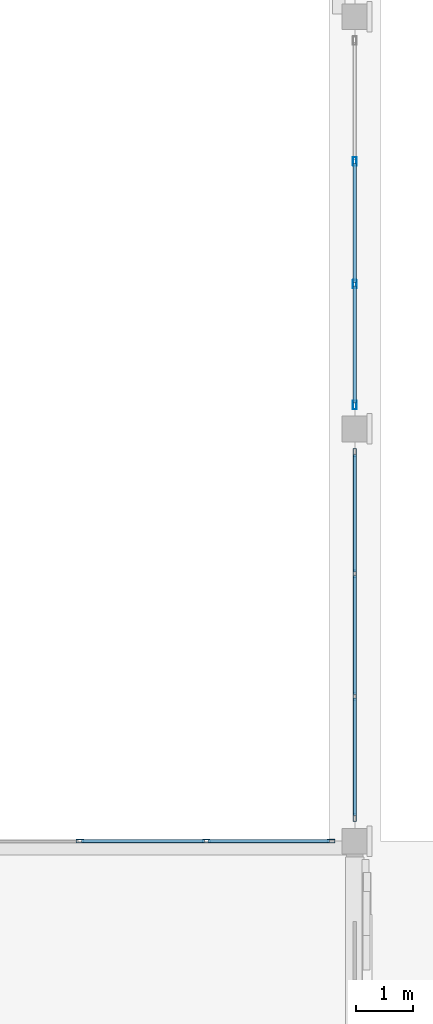
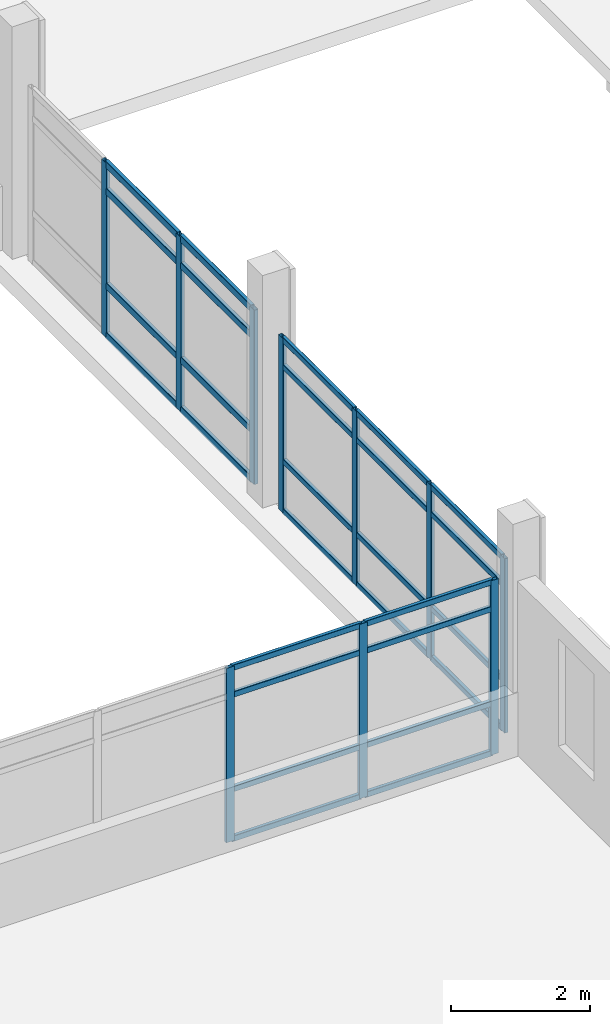
# One storey, part 23 of 50: 38 members, 3 elements without a shape of their own.
"""IFC4 building model written with IfcOpenShell, lengths in metres."""

import ifcopenshell
import ifcopenshell.guid

model = None  # the IFC model being written
_history = None  # IfcOwnerHistory: only IFC2X3 demands one
_inside = {}  # id of a spatial element -> (the spatial element, [elements in it])
_under = {}  # id of a project, library or spatial element -> (it, [spatial elements below it])
_declared = {}  # id of a project -> (the project, [libraries it declares])
_typed = {}  # id of a type object -> (the type object, [elements of that type])
_made_of = {}  # id of a material, layer set ... -> (it, [elements and type objects made of it])


def new_model(schema):
    """Start an empty IFC model of exactly this schema.

    Asked for "IFC4X3", IfcOpenShell would pick the latest addendum, in which some entities
    have other attributes; the version numbers below select the first issue.
    IFC2X3 requires an IfcOwnerHistory on every rooted entity: one is made here for all.
    """
    global model, _history
    if schema == "IFC4X3":
        model = ifcopenshell.file(schema_version=(4, 3, 0, 0))
    else:
        model = ifcopenshell.file(schema=schema)
    _inside.clear()
    _under.clear()
    _declared.clear()
    _typed.clear()
    _made_of.clear()
    _history = None
    if model.schema == "IFC2X3":
        org = make("IfcOrganization", Name="unknown")
        user = make(
            "IfcPersonAndOrganization",
            ThePerson=make("IfcPerson", FamilyName="unknown"),
            TheOrganization=org,
        )
        app = make(
            "IfcApplication",
            ApplicationDeveloper=org,
            Version="unknown",
            ApplicationFullName="unknown",
            ApplicationIdentifier="unknown",
        )
        _history = make(
            "IfcOwnerHistory",
            OwningUser=user,
            OwningApplication=app,
            ChangeAction="ADDED",
            CreationDate=0,
        )
    return model


def make(cls, **values):
    """One entity of the class cls with the attributes given. An attribute that is None is left unset."""
    return model.create_entity(
        cls, **{name: value for name, value in values.items() if value is not None}
    )


def rooted(cls, **values):
    """An entity with a GlobalId (a new one), such as an element, a storey or a relation."""
    return make(cls, GlobalId=ifcopenshell.guid.new(), OwnerHistory=_history, **values)


def si_unit(unit_type, name, prefix=None):
    """IfcSIUnit, for example si_unit("LENGTHUNIT", "METRE", prefix="MILLI")."""
    return make("IfcSIUnit", UnitType=unit_type, Prefix=prefix, Name=name)


def assignment(units):
    """IfcUnitAssignment: the units of a project."""
    return None if units is None else make("IfcUnitAssignment", Units=units)


def point(xyz):
    """IfcCartesianPoint."""
    return None if xyz is None else make("IfcCartesianPoint", Coordinates=xyz)


def direction(xyz):
    """IfcDirection."""
    return None if xyz is None else make("IfcDirection", DirectionRatios=xyz)


def frame(location, z_axis=None, x_axis=None):
    """IfcAxis2Placement3D, a coordinate frame: its origin and axes. An axis left out is left unset."""
    return make(
        "IfcAxis2Placement3D",
        Location=point(location),
        Axis=direction(z_axis),
        RefDirection=direction(x_axis),
    )


def frame_2d(location, x_axis=None):
    """IfcAxis2Placement2D, a coordinate frame in the plane: its origin and x axis."""
    return make(
        "IfcAxis2Placement2D", Location=point(location), RefDirection=direction(x_axis)
    )


def origin():
    """The frame at (0, 0, 0) with its axes left unset."""
    return frame((0.0, 0.0, 0.0))


def origin_2d():
    """The frame at (0, 0) in the plane with its x axis left unset."""
    return frame_2d((0.0, 0.0))


def place(relative_to, where):
    """IfcLocalPlacement: puts the frame where relative to a parent placement (None: the world)."""
    return make(
        "IfcLocalPlacement", PlacementRelTo=relative_to, RelativePlacement=where
    )


def context(
    kind, dimensions, precision=None, world=None, true_north=None, identifier=None
):
    """IfcGeometricRepresentationContext, for example the 3D "Model" context."""
    return make(
        "IfcGeometricRepresentationContext",
        ContextIdentifier=identifier,
        ContextType=kind,
        CoordinateSpaceDimension=dimensions,
        Precision=precision,
        WorldCoordinateSystem=world,
        TrueNorth=true_north,
    )


def subcontext(parent, identifier, kind, view, scale=None):
    """IfcGeometricRepresentationSubContext, for example "Body" below "Model"."""
    return make(
        "IfcGeometricRepresentationSubContext",
        ContextIdentifier=identifier,
        ContextType=kind,
        ParentContext=parent,
        TargetScale=scale,
        TargetView=view,
    )


def project(units=None, contexts=None):
    """IfcProject with its units and contexts."""
    return rooted(
        "IfcProject",
        Name="project",
        RepresentationContexts=contexts,
        UnitsInContext=assignment(units),
    )


def spatial(cls, under=None, at=None, **own):
    """A site, building, storey or space (cls), placed at a placement, below another one or the project."""
    s = rooted(cls, ObjectPlacement=at, **own)
    if under is not None:
        _under.setdefault(under.id(), (under, []))[1].append(s)
    return s


def profile(cls, at=None, kind="AREA", **sizes):
    """A parametric profile (cls). Its sizes go by their IFC names, for example OverallWidth=200.0."""
    return make(cls, ProfileType=kind, Position=at, **sizes)


def hollow_rectangle(**sizes):
    """IfcRectangleHollowProfileDef."""
    return profile("IfcRectangleHollowProfileDef", **sizes)


def extrude(swept, where, along, depth):
    """IfcExtrudedAreaSolid: the profile swept, set in the frame where, extruded along a direction by depth."""
    return make(
        "IfcExtrudedAreaSolid",
        SweptArea=swept,
        Position=where,
        ExtrudedDirection=direction(along),
        Depth=depth,
    )


def shape(context_of_items, identifier, shape_type, items):
    """IfcShapeRepresentation: the items that make up one representation, for example the "Body"."""
    return make(
        "IfcShapeRepresentation",
        ContextOfItems=context_of_items,
        RepresentationIdentifier=identifier,
        RepresentationType=shape_type,
        Items=items,
    )


def material(Name=None, Category=None):
    """IfcMaterial."""
    return make("IfcMaterial", Name=Name, Category=Category)


def layer(
    of_material, thickness, ventilated=None, Name=None, Category=None, Priority=None
):
    """IfcMaterialLayer: one layer of a wall or slab, of a material (None: an air gap)."""
    return make(
        "IfcMaterialLayer",
        Material=of_material,
        LayerThickness=thickness,
        IsVentilated=ventilated,
        Name=Name,
        Category=Category,
        Priority=Priority,
    )


def layer_set(layers, Name=None):
    """IfcMaterialLayerSet."""
    return make("IfcMaterialLayerSet", MaterialLayers=layers, LayerSetName=Name)


def material_profile(
    of_material, cross_section, Name=None, Category=None, Priority=None
):
    """IfcMaterialProfile: a cross section and its material."""
    return make(
        "IfcMaterialProfile",
        Name=Name,
        Material=of_material,
        Profile=cross_section,
        Priority=Priority,
        Category=Category,
    )


def profile_set(profiles, Name=None, composite=None):
    """IfcMaterialProfileSet."""
    return make(
        "IfcMaterialProfileSet",
        Name=Name,
        MaterialProfiles=profiles,
        CompositeProfile=composite,
    )


def made_of(thing, what):
    """Note that an element or type object is made of a material, layer set ...; save() writes the relation."""
    if what is not None:
        _made_of.setdefault(what.id(), (what, []))[1].append(thing)
    return thing


def type_object(cls, material=None, **own):
    """A type object (cls), such as IfcWallType, which elements share."""
    return made_of(rooted(cls, **own), material)


def element(
    cls,
    number,
    at=None,
    inside=None,
    cuts=None,
    type_object=None,
    material=None,
    context=None,
    identifier="Body",
    shape_type=None,
    held_by="IfcProductDefinitionShape",
    body=None,
    shapes=None,
    **own,
):
    """One element of the class cls, such as IfcWall. Its Tag is "e" and its number.

    at: its placement. inside: the storey or other place that contains it. cuts: it is an
    opening in that element (IfcRelVoidsElement). A single representation is given by context,
    identifier, shape_type and body (its items); several are given by shapes. held_by: the class
    of the entity that holds the representations. save() writes the other relations.
    """
    e = rooted(cls, Tag="e%d" % number, ObjectPlacement=at, **own)
    if body is not None:
        shapes = [shape(context, identifier, shape_type, body)]
    if shapes is not None:
        e.Representation = make(held_by, Representations=shapes)
    if inside is not None:
        _inside.setdefault(inside.id(), (inside, []))[1].append(e)
    if cuts is not None:
        rooted(
            "IfcRelVoidsElement", RelatingBuildingElement=cuts, RelatedOpeningElement=e
        )
    if type_object is not None:
        _typed.setdefault(type_object.id(), (type_object, []))[1].append(e)
    return made_of(e, material)


def aggregate(whole, parts):
    """IfcRelAggregates: a whole, such as a stair, and the parts it consists of."""
    return rooted("IfcRelAggregates", RelatingObject=whole, RelatedObjects=parts)


def save(model, path):
    """Write the relations noted so far, then the file.

    IfcRelAggregates (storeys below a building ...), IfcRelContainedInSpatialStructure (elements
    in a storey), IfcRelDefinesByType, IfcRelAssociatesMaterial and IfcRelDeclares: one each for
    every whole, place, type object, material and project.
    """
    for whole, parts in _under.values():
        aggregate(whole, parts)
    for where, things in _inside.values():
        rooted(
            "IfcRelContainedInSpatialStructure",
            RelatedElements=things,
            RelatingStructure=where,
        )
    for kind, things in _typed.values():
        rooted("IfcRelDefinesByType", RelatedObjects=things, RelatingType=kind)
    for what, things in _made_of.values():
        rooted("IfcRelAssociatesMaterial", RelatedObjects=things, RelatingMaterial=what)
    for by, libraries in _declared.values():
        rooted("IfcRelDeclares", RelatingContext=by, RelatedDefinitions=libraries)
    model.write(path)


model = new_model("IFC4")

# Units and contexts
model_context = context("Model", 3, precision=1e-05, world=origin(), true_north=direction((0.0, 1.0)))
body_context = subcontext(model_context, "Body", "Model", "MODEL_VIEW")
ifc_project = project(units=[si_unit("LENGTHUNIT", "METRE"), si_unit("AREAUNIT", "SQUARE_METRE"), si_unit("VOLUMEUNIT", "CUBIC_METRE"), si_unit("PLANEANGLEUNIT", "RADIAN"), si_unit("MASSUNIT", "GRAM", prefix="KILO")], contexts=[model_context])

# Site, building, storey
site_placement = place(None, origin())
site = spatial("IfcSite", under=ifc_project, at=site_placement, CompositionType="ELEMENT")
building_placement = place(site_placement, origin())
building = spatial("IfcBuilding", under=site, at=building_placement, Name="Asteropetra Specialist Clinic", CompositionType="ELEMENT")
storey_placement = place(building_placement, frame((0.0, 0.0, 16.659912109375)))
storey = spatial("IfcBuildingStorey", under=building, at=storey_placement, Name="L04", CompositionType="ELEMENT", Elevation=16.659912109375)

# Curtain wall, members
ifc_material_1 = material(Name="Aluminium and low-E glass", Category="aluminium")
ifc_layer_1 = layer(ifc_material_1, 0.14990234375)
ifc_layer_set_1 = layer_set([ifc_layer_1], Name="Aluminium and low-E glass")
curtain_wall_type_1 = type_object("IfcCurtainWallType", Name="CW-SYS-08", PredefinedType="USERDEFINED", material=ifc_layer_set_1)
curtain_wall_1_placement = place(storey_placement, origin())
curtain_wall_1 = element("IfcCurtainWall", 1, at=curtain_wall_1_placement, inside=storey, type_object=curtain_wall_type_1, Name="Curtain Wall CW-089", ObjectType="STICK GLAZED COLONNADE", PredefinedType="USERDEFINED")
ifc_material_2 = material(Name="Aluminium 6063-T6", Category="aluminium")
ifc_material_profile_1 = material_profile(ifc_material_2, hollow_rectangle(XDim=0.06005859375, YDim=0.135009765625, WallThickness=0.00341796875, InnerFilletRadius=0.00341796875, OuterFilletRadius=0.007080078125, at=origin_2d()), Name="MUL 135x60x3.5")
ifc_profile_set_1 = profile_set([ifc_material_profile_1], Name="Aluminium 6063-T6")
member_type_1 = type_object("IfcMemberType", Name="CWM-135x60", PredefinedType="MULLION", material=ifc_profile_set_1)
member_1_placement = place(storey_placement, frame((129.60009765625, 19.199951171875, 0.0), z_axis=(0.0, 0.0, 1.0), x_axis=(0.0, 1.0, 0.0)))
member_1 = element("IfcMember", 2, at=member_1_placement, type_object=member_type_1, Name="CW-089 mullion 3", PredefinedType="MULLION", context=body_context, shape_type="SweptSolid", body=[
    extrude(hollow_rectangle(XDim=0.06005859375, YDim=0.135009765625, WallThickness=0.00341796875, InnerFilletRadius=0.00341796875, OuterFilletRadius=0.007080078125, at=origin_2d()), origin(), (0.0, 0.0, 1.0), 3.06005859375),
])
member_2_placement = place(storey_placement, frame((131.8076171875, 19.199951171875, 0.0), z_axis=(0.0, 0.0, 1.0), x_axis=(0.0, 1.0, 0.0)))
member_2 = element("IfcMember", 3, at=member_2_placement, type_object=member_type_1, Name="CW-089 mullion 4", PredefinedType="MULLION", context=body_context, shape_type="SweptSolid", body=[
    extrude(hollow_rectangle(XDim=0.06005859375, YDim=0.135009765625, WallThickness=0.00341796875, InnerFilletRadius=0.00341796875, OuterFilletRadius=0.007080078125, at=origin_2d()), origin(), (0.0, 0.0, 1.0), 3.06005859375),
])
member_3_placement = place(storey_placement, frame((133.985107421875, 19.199951171875, 0.0), z_axis=(0.0, 0.0, 1.0), x_axis=(0.0, 1.0, 0.0)))
member_3 = element("IfcMember", 4, at=member_3_placement, type_object=member_type_1, Name="CW-089 mullion 5", PredefinedType="MULLION", context=body_context, shape_type="SweptSolid", body=[
    extrude(hollow_rectangle(XDim=0.06005859375, YDim=0.135009765625, WallThickness=0.00341796875, InnerFilletRadius=0.00341796875, OuterFilletRadius=0.007080078125, at=origin_2d()), origin(), (0.0, 0.0, 1.0), 3.06005859375),
])

ifc_material_3 = material(Name="Aluminium and low-E glass", Category="aluminium")
ifc_layer_2 = layer(ifc_material_3, 0.14990234375)
ifc_layer_set_2 = layer_set([ifc_layer_2], Name="Aluminium and low-E glass")
curtain_wall_type_2 = type_object("IfcCurtainWallType", Name="CW-SYS-11", PredefinedType="USERDEFINED", material=ifc_layer_set_2)
curtain_wall_2_placement = place(storey_placement, origin())
curtain_wall_2 = element("IfcCurtainWall", 5, at=curtain_wall_2_placement, inside=storey, type_object=curtain_wall_type_2, Name="Curtain Wall CW-092", ObjectType="STICK GLAZED COLONNADE", PredefinedType="USERDEFINED")
member_4_placement = place(storey_placement, frame((134.39990234375, 19.614990234375, 0.0), z_axis=(0.0, 0.0, 1.0), x_axis=(-1.0, 0.0, 0.0)))
member_4 = element("IfcMember", 6, at=member_4_placement, type_object=member_type_1, Name="CW-092 mullion 1", PredefinedType="MULLION", context=body_context, shape_type="SweptSolid", body=[
    extrude(hollow_rectangle(XDim=0.06005859375, YDim=0.135009765625, WallThickness=0.00341796875, InnerFilletRadius=0.00341796875, OuterFilletRadius=0.007080078125, at=origin_2d()), origin(), (0.0, 0.0, 1.0), 3.06005859375),
])
member_5_placement = place(storey_placement, frame((134.39990234375, 21.728271484375, 0.0), z_axis=(0.0, 0.0, 1.0), x_axis=(-1.0, 0.0, 0.0)))
member_5 = element("IfcMember", 7, at=member_5_placement, type_object=member_type_1, Name="CW-092 mullion 2", PredefinedType="MULLION", context=body_context, shape_type="SweptSolid", body=[
    extrude(hollow_rectangle(XDim=0.06005859375, YDim=0.135009765625, WallThickness=0.00341796875, InnerFilletRadius=0.00341796875, OuterFilletRadius=0.007080078125, at=origin_2d()), origin(), (0.0, 0.0, 1.0), 3.06005859375),
])
member_6_placement = place(storey_placement, frame((134.39990234375, 23.87158203125, 0.0), z_axis=(0.0, 0.0, 1.0), x_axis=(-1.0, 0.0, 0.0)))
member_6 = element("IfcMember", 8, at=member_6_placement, type_object=member_type_1, Name="CW-092 mullion 3", PredefinedType="MULLION", context=body_context, shape_type="SweptSolid", body=[
    extrude(hollow_rectangle(XDim=0.06005859375, YDim=0.135009765625, WallThickness=0.00341796875, InnerFilletRadius=0.00341796875, OuterFilletRadius=0.007080078125, at=origin_2d()), origin(), (0.0, 0.0, 1.0), 3.06005859375),
])
member_7_placement = place(storey_placement, frame((134.39990234375, 25.985107421875, 0.0), z_axis=(0.0, 0.0, 1.0), x_axis=(-1.0, 0.0, 0.0)))
member_7 = element("IfcMember", 9, at=member_7_placement, type_object=member_type_1, Name="CW-092 mullion 4", PredefinedType="MULLION", context=body_context, shape_type="SweptSolid", body=[
    extrude(hollow_rectangle(XDim=0.06005859375, YDim=0.135009765625, WallThickness=0.00341796875, InnerFilletRadius=0.00341796875, OuterFilletRadius=0.007080078125, at=origin_2d()), origin(), (0.0, 0.0, 1.0), 3.06005859375),
])

ifc_material_4 = material(Name="Aluminium and low-E glass", Category="aluminium")
ifc_layer_3 = layer(ifc_material_4, 0.135009765625)
ifc_layer_set_3 = layer_set([ifc_layer_3], Name="Aluminium and low-E glass")
curtain_wall_type_3 = type_object("IfcCurtainWallType", Name="CW-SYS-12", PredefinedType="USERDEFINED", material=ifc_layer_set_3)
curtain_wall_3_placement = place(storey_placement, origin())
curtain_wall_3 = element("IfcCurtainWall", 10, at=curtain_wall_3_placement, inside=storey, type_object=curtain_wall_type_3, Name="Curtain Wall CW-094", ObjectType="STICK GLAZED COLONNADE", PredefinedType="USERDEFINED")
ifc_material_5 = material(Name="Aluminium 6063-T6", Category="aluminium")
ifc_material_profile_2 = material_profile(ifc_material_5, hollow_rectangle(XDim=0.06494140625, YDim=0.14990234375, WallThickness=0.00390625, InnerFilletRadius=0.00390625, OuterFilletRadius=0.008056640625, at=origin_2d()), Name="MUL 150x65x4.0")
ifc_profile_set_2 = profile_set([ifc_material_profile_2], Name="Aluminium 6063-T6")
member_type_2 = type_object("IfcMemberType", Name="CWM-150x65", PredefinedType="MULLION", material=ifc_profile_set_2)
member_8_placement = place(storey_placement, frame((134.39990234375, 26.8173828125, 0.0), z_axis=(0.0, 0.0, 1.0), x_axis=(-1.0, 0.0, 0.0)))
member_8 = element("IfcMember", 11, at=member_8_placement, type_object=member_type_2, Name="CW-094 mullion 1", PredefinedType="MULLION", context=body_context, shape_type="SweptSolid", body=[
    extrude(hollow_rectangle(XDim=0.06494140625, YDim=0.14990234375, WallThickness=0.00390625, InnerFilletRadius=0.00390625, OuterFilletRadius=0.008056640625, at=origin_2d()), origin(), (0.0, 0.0, 1.0), 3.06005859375),
])
member_9_placement = place(storey_placement, frame((134.39990234375, 28.92822265625, 0.0), z_axis=(0.0, 0.0, 1.0), x_axis=(-1.0, 0.0, 0.0)))
member_9 = element("IfcMember", 12, at=member_9_placement, type_object=member_type_2, Name="CW-094 mullion 2", PredefinedType="MULLION", context=body_context, shape_type="SweptSolid", body=[
    extrude(hollow_rectangle(XDim=0.06494140625, YDim=0.14990234375, WallThickness=0.00390625, InnerFilletRadius=0.00390625, OuterFilletRadius=0.008056640625, at=origin_2d()), origin(), (0.0, 0.0, 1.0), 3.06005859375),
])
member_10_placement = place(storey_placement, frame((134.39990234375, 31.07177734375, 0.0), z_axis=(0.0, 0.0, 1.0), x_axis=(-1.0, 0.0, 0.0)))
member_10 = element("IfcMember", 13, at=member_10_placement, type_object=member_type_2, Name="CW-094 mullion 3", PredefinedType="MULLION", context=body_context, shape_type="SweptSolid", body=[
    extrude(hollow_rectangle(XDim=0.06494140625, YDim=0.14990234375, WallThickness=0.00390625, InnerFilletRadius=0.00390625, OuterFilletRadius=0.008056640625, at=origin_2d()), origin(), (0.0, 0.0, 1.0), 3.06005859375),
])

# Member
ifc_material_6 = material(Name="Aluminium 6063-T6", Category="aluminium")
ifc_material_profile_3 = material_profile(ifc_material_6, hollow_rectangle(XDim=0.06005859375, YDim=0.10009765625, WallThickness=0.00341796875, InnerFilletRadius=0.00341796875, OuterFilletRadius=0.007080078125, at=origin_2d()), Name="TRN 100x60x3.5")
ifc_profile_set_3 = profile_set([ifc_material_profile_3], Name="Aluminium 6063-T6")
member_type_3 = type_object("IfcMemberType", Name="CWT-100x60", PredefinedType="USERDEFINED", material=ifc_profile_set_3)
member_11_placement = place(storey_placement, frame((129.6298828125, 19.199951171875, 0.030029296875), z_axis=(1.0, 0.0, 0.0), x_axis=(0.0, 1.0, 0.0)))
member_11 = element("IfcMember", 14, at=member_11_placement, type_object=member_type_3, Name="CW-089 transom 3.1", ObjectType="TRANSOM", PredefinedType="USERDEFINED", context=body_context, shape_type="SweptSolid", body=[
    extrude(hollow_rectangle(XDim=0.06005859375, YDim=0.10009765625, WallThickness=0.00341796875, InnerFilletRadius=0.00341796875, OuterFilletRadius=0.007080078125, at=origin_2d()), origin(), (0.0, 0.0, 1.0), 2.147705078125),
])

member_12_placement = place(storey_placement, frame((129.6298828125, 19.199951171875, 0.900146484375), z_axis=(1.0, 0.0, 0.0), x_axis=(0.0, 1.0, 0.0)))
member_12 = element("IfcMember", 15, at=member_12_placement, type_object=member_type_3, Name="CW-089 transom 3.2", ObjectType="TRANSOM", PredefinedType="USERDEFINED", context=body_context, shape_type="SweptSolid", body=[
    extrude(hollow_rectangle(XDim=0.06005859375, YDim=0.10009765625, WallThickness=0.00341796875, InnerFilletRadius=0.00341796875, OuterFilletRadius=0.007080078125, at=origin_2d()), origin(), (0.0, 0.0, 1.0), 2.147705078125),
])

member_13_placement = place(storey_placement, frame((129.6298828125, 19.199951171875, 2.56005859375), z_axis=(1.0, 0.0, 0.0), x_axis=(0.0, 1.0, 0.0)))
member_13 = element("IfcMember", 16, at=member_13_placement, type_object=member_type_3, Name="CW-089 transom 3.3", ObjectType="TRANSOM", PredefinedType="USERDEFINED", context=body_context, shape_type="SweptSolid", body=[
    extrude(hollow_rectangle(XDim=0.06005859375, YDim=0.10009765625, WallThickness=0.00341796875, InnerFilletRadius=0.00341796875, OuterFilletRadius=0.007080078125, at=origin_2d()), origin(), (0.0, 0.0, 1.0), 2.147705078125),
])

member_14_placement = place(storey_placement, frame((129.6298828125, 19.199951171875, 3.030029296875), z_axis=(1.0, 0.0, 0.0), x_axis=(0.0, 1.0, 0.0)))
member_14 = element("IfcMember", 17, at=member_14_placement, type_object=member_type_3, Name="CW-089 transom 3.4", ObjectType="TRANSOM", PredefinedType="USERDEFINED", context=body_context, shape_type="SweptSolid", body=[
    extrude(hollow_rectangle(XDim=0.06005859375, YDim=0.10009765625, WallThickness=0.00341796875, InnerFilletRadius=0.00341796875, OuterFilletRadius=0.007080078125, at=origin_2d()), origin(), (0.0, 0.0, 1.0), 2.147705078125),
])

member_15_placement = place(storey_placement, frame((131.83740234375, 19.199951171875, 0.030029296875), z_axis=(1.0, 0.0, 0.0), x_axis=(0.0, 1.0, 0.0)))
member_15 = element("IfcMember", 18, at=member_15_placement, type_object=member_type_3, Name="CW-089 transom 4.1", ObjectType="TRANSOM", PredefinedType="USERDEFINED", context=body_context, shape_type="SweptSolid", body=[
    extrude(hollow_rectangle(XDim=0.06005859375, YDim=0.10009765625, WallThickness=0.00341796875, InnerFilletRadius=0.00341796875, OuterFilletRadius=0.007080078125, at=origin_2d()), origin(), (0.0, 0.0, 1.0), 2.11767578125),
])

member_16_placement = place(storey_placement, frame((131.83740234375, 19.199951171875, 0.900146484375), z_axis=(1.0, 0.0, 0.0), x_axis=(0.0, 1.0, 0.0)))
member_16 = element("IfcMember", 19, at=member_16_placement, type_object=member_type_3, Name="CW-089 transom 4.2", ObjectType="TRANSOM", PredefinedType="USERDEFINED", context=body_context, shape_type="SweptSolid", body=[
    extrude(hollow_rectangle(XDim=0.06005859375, YDim=0.10009765625, WallThickness=0.00341796875, InnerFilletRadius=0.00341796875, OuterFilletRadius=0.007080078125, at=origin_2d()), origin(), (0.0, 0.0, 1.0), 2.11767578125),
])

member_17_placement = place(storey_placement, frame((131.83740234375, 19.199951171875, 2.56005859375), z_axis=(1.0, 0.0, 0.0), x_axis=(0.0, 1.0, 0.0)))
member_17 = element("IfcMember", 20, at=member_17_placement, type_object=member_type_3, Name="CW-089 transom 4.3", ObjectType="TRANSOM", PredefinedType="USERDEFINED", context=body_context, shape_type="SweptSolid", body=[
    extrude(hollow_rectangle(XDim=0.06005859375, YDim=0.10009765625, WallThickness=0.00341796875, InnerFilletRadius=0.00341796875, OuterFilletRadius=0.007080078125, at=origin_2d()), origin(), (0.0, 0.0, 1.0), 2.11767578125),
])

member_18_placement = place(storey_placement, frame((131.83740234375, 19.199951171875, 3.030029296875), z_axis=(1.0, 0.0, 0.0), x_axis=(0.0, 1.0, 0.0)))
member_18 = element("IfcMember", 21, at=member_18_placement, type_object=member_type_3, Name="CW-089 transom 4.4", ObjectType="TRANSOM", PredefinedType="USERDEFINED", context=body_context, shape_type="SweptSolid", body=[
    extrude(hollow_rectangle(XDim=0.06005859375, YDim=0.10009765625, WallThickness=0.00341796875, InnerFilletRadius=0.00341796875, OuterFilletRadius=0.007080078125, at=origin_2d()), origin(), (0.0, 0.0, 1.0), 2.11767578125),
])

aggregate(curtain_wall_1, [member_1, member_2, member_3, member_11, member_12, member_13, member_14, member_15, member_16, member_17, member_18])

member_19_placement = place(storey_placement, frame((134.39990234375, 19.64501953125, 0.030029296875), z_axis=(0.0, 1.0, 0.0), x_axis=(-1.0, 0.0, 0.0)))
member_19 = element("IfcMember", 22, at=member_19_placement, type_object=member_type_3, Name="CW-092 transom 1.1", ObjectType="TRANSOM", PredefinedType="USERDEFINED", context=body_context, shape_type="SweptSolid", body=[
    extrude(hollow_rectangle(XDim=0.06005859375, YDim=0.10009765625, WallThickness=0.00341796875, InnerFilletRadius=0.00341796875, OuterFilletRadius=0.007080078125, at=origin_2d()), origin(), (0.0, 0.0, 1.0), 2.05322265625),
])

member_20_placement = place(storey_placement, frame((134.39990234375, 19.64501953125, 0.900146484375), z_axis=(0.0, 1.0, 0.0), x_axis=(-1.0, 0.0, 0.0)))
member_20 = element("IfcMember", 23, at=member_20_placement, type_object=member_type_3, Name="CW-092 transom 1.2", ObjectType="TRANSOM", PredefinedType="USERDEFINED", context=body_context, shape_type="SweptSolid", body=[
    extrude(hollow_rectangle(XDim=0.06005859375, YDim=0.10009765625, WallThickness=0.00341796875, InnerFilletRadius=0.00341796875, OuterFilletRadius=0.007080078125, at=origin_2d()), origin(), (0.0, 0.0, 1.0), 2.05322265625),
])

member_21_placement = place(storey_placement, frame((134.39990234375, 19.64501953125, 2.56005859375), z_axis=(0.0, 1.0, 0.0), x_axis=(-1.0, 0.0, 0.0)))
member_21 = element("IfcMember", 24, at=member_21_placement, type_object=member_type_3, Name="CW-092 transom 1.3", ObjectType="TRANSOM", PredefinedType="USERDEFINED", context=body_context, shape_type="SweptSolid", body=[
    extrude(hollow_rectangle(XDim=0.06005859375, YDim=0.10009765625, WallThickness=0.00341796875, InnerFilletRadius=0.00341796875, OuterFilletRadius=0.007080078125, at=origin_2d()), origin(), (0.0, 0.0, 1.0), 2.05322265625),
])

member_22_placement = place(storey_placement, frame((134.39990234375, 19.64501953125, 3.030029296875), z_axis=(0.0, 1.0, 0.0), x_axis=(-1.0, 0.0, 0.0)))
member_22 = element("IfcMember", 25, at=member_22_placement, type_object=member_type_3, Name="CW-092 transom 1.4", ObjectType="TRANSOM", PredefinedType="USERDEFINED", context=body_context, shape_type="SweptSolid", body=[
    extrude(hollow_rectangle(XDim=0.06005859375, YDim=0.10009765625, WallThickness=0.00341796875, InnerFilletRadius=0.00341796875, OuterFilletRadius=0.007080078125, at=origin_2d()), origin(), (0.0, 0.0, 1.0), 2.05322265625),
])

member_23_placement = place(storey_placement, frame((134.39990234375, 21.75830078125, 0.030029296875), z_axis=(0.0, 1.0, 0.0), x_axis=(-1.0, 0.0, 0.0)))
member_23 = element("IfcMember", 26, at=member_23_placement, type_object=member_type_3, Name="CW-092 transom 2.1", ObjectType="TRANSOM", PredefinedType="USERDEFINED", context=body_context, shape_type="SweptSolid", body=[
    extrude(hollow_rectangle(XDim=0.06005859375, YDim=0.10009765625, WallThickness=0.00341796875, InnerFilletRadius=0.00341796875, OuterFilletRadius=0.007080078125, at=origin_2d()), origin(), (0.0, 0.0, 1.0), 2.083251953125),
])

member_24_placement = place(storey_placement, frame((134.39990234375, 21.75830078125, 0.900146484375), z_axis=(0.0, 1.0, 0.0), x_axis=(-1.0, 0.0, 0.0)))
member_24 = element("IfcMember", 27, at=member_24_placement, type_object=member_type_3, Name="CW-092 transom 2.2", ObjectType="TRANSOM", PredefinedType="USERDEFINED", context=body_context, shape_type="SweptSolid", body=[
    extrude(hollow_rectangle(XDim=0.06005859375, YDim=0.10009765625, WallThickness=0.00341796875, InnerFilletRadius=0.00341796875, OuterFilletRadius=0.007080078125, at=origin_2d()), origin(), (0.0, 0.0, 1.0), 2.083251953125),
])

member_25_placement = place(storey_placement, frame((134.39990234375, 21.75830078125, 2.56005859375), z_axis=(0.0, 1.0, 0.0), x_axis=(-1.0, 0.0, 0.0)))
member_25 = element("IfcMember", 28, at=member_25_placement, type_object=member_type_3, Name="CW-092 transom 2.3", ObjectType="TRANSOM", PredefinedType="USERDEFINED", context=body_context, shape_type="SweptSolid", body=[
    extrude(hollow_rectangle(XDim=0.06005859375, YDim=0.10009765625, WallThickness=0.00341796875, InnerFilletRadius=0.00341796875, OuterFilletRadius=0.007080078125, at=origin_2d()), origin(), (0.0, 0.0, 1.0), 2.083251953125),
])

member_26_placement = place(storey_placement, frame((134.39990234375, 21.75830078125, 3.030029296875), z_axis=(0.0, 1.0, 0.0), x_axis=(-1.0, 0.0, 0.0)))
member_26 = element("IfcMember", 29, at=member_26_placement, type_object=member_type_3, Name="CW-092 transom 2.4", ObjectType="TRANSOM", PredefinedType="USERDEFINED", context=body_context, shape_type="SweptSolid", body=[
    extrude(hollow_rectangle(XDim=0.06005859375, YDim=0.10009765625, WallThickness=0.00341796875, InnerFilletRadius=0.00341796875, OuterFilletRadius=0.007080078125, at=origin_2d()), origin(), (0.0, 0.0, 1.0), 2.083251953125),
])

member_27_placement = place(storey_placement, frame((134.39990234375, 23.901611328125, 0.030029296875), z_axis=(0.0, 1.0, 0.0), x_axis=(-1.0, 0.0, 0.0)))
member_27 = element("IfcMember", 30, at=member_27_placement, type_object=member_type_3, Name="CW-092 transom 3.1", ObjectType="TRANSOM", PredefinedType="USERDEFINED", context=body_context, shape_type="SweptSolid", body=[
    extrude(hollow_rectangle(XDim=0.06005859375, YDim=0.10009765625, WallThickness=0.00341796875, InnerFilletRadius=0.00341796875, OuterFilletRadius=0.007080078125, at=origin_2d()), origin(), (0.0, 0.0, 1.0), 2.053466796875),
])

member_28_placement = place(storey_placement, frame((134.39990234375, 23.901611328125, 0.900146484375), z_axis=(0.0, 1.0, 0.0), x_axis=(-1.0, 0.0, 0.0)))
member_28 = element("IfcMember", 31, at=member_28_placement, type_object=member_type_3, Name="CW-092 transom 3.2", ObjectType="TRANSOM", PredefinedType="USERDEFINED", context=body_context, shape_type="SweptSolid", body=[
    extrude(hollow_rectangle(XDim=0.06005859375, YDim=0.10009765625, WallThickness=0.00341796875, InnerFilletRadius=0.00341796875, OuterFilletRadius=0.007080078125, at=origin_2d()), origin(), (0.0, 0.0, 1.0), 2.053466796875),
])

member_29_placement = place(storey_placement, frame((134.39990234375, 23.901611328125, 2.56005859375), z_axis=(0.0, 1.0, 0.0), x_axis=(-1.0, 0.0, 0.0)))
member_29 = element("IfcMember", 32, at=member_29_placement, type_object=member_type_3, Name="CW-092 transom 3.3", ObjectType="TRANSOM", PredefinedType="USERDEFINED", context=body_context, shape_type="SweptSolid", body=[
    extrude(hollow_rectangle(XDim=0.06005859375, YDim=0.10009765625, WallThickness=0.00341796875, InnerFilletRadius=0.00341796875, OuterFilletRadius=0.007080078125, at=origin_2d()), origin(), (0.0, 0.0, 1.0), 2.053466796875),
])

member_30_placement = place(storey_placement, frame((134.39990234375, 23.901611328125, 3.030029296875), z_axis=(0.0, 1.0, 0.0), x_axis=(-1.0, 0.0, 0.0)))
member_30 = element("IfcMember", 33, at=member_30_placement, type_object=member_type_3, Name="CW-092 transom 3.4", ObjectType="TRANSOM", PredefinedType="USERDEFINED", context=body_context, shape_type="SweptSolid", body=[
    extrude(hollow_rectangle(XDim=0.06005859375, YDim=0.10009765625, WallThickness=0.00341796875, InnerFilletRadius=0.00341796875, OuterFilletRadius=0.007080078125, at=origin_2d()), origin(), (0.0, 0.0, 1.0), 2.053466796875),
])

aggregate(curtain_wall_2, [member_4, member_5, member_6, member_7, member_19, member_20, member_21, member_22, member_23, member_24, member_25, member_26, member_27, member_28, member_29, member_30])

ifc_material_7 = material(Name="Aluminium 6063-T6", Category="aluminium")
ifc_material_profile_4 = material_profile(ifc_material_7, hollow_rectangle(XDim=0.06494140625, YDim=0.1201171875, WallThickness=0.00390625, InnerFilletRadius=0.00390625, OuterFilletRadius=0.008056640625, at=origin_2d()), Name="TRN 120x65x4.0")
ifc_profile_set_4 = profile_set([ifc_material_profile_4], Name="Aluminium 6063-T6")
member_type_4 = type_object("IfcMemberType", Name="CWT-120x65", PredefinedType="USERDEFINED", material=ifc_profile_set_4)
member_31_placement = place(storey_placement, frame((134.39990234375, 26.85009765625, 0.032470703125), z_axis=(0.0, 1.0, 0.0), x_axis=(-1.0, 0.0, 0.0)))
member_31 = element("IfcMember", 34, at=member_31_placement, type_object=member_type_4, Name="CW-094 transom 1.1", ObjectType="TRANSOM", PredefinedType="USERDEFINED", context=body_context, shape_type="SweptSolid", body=[
    extrude(hollow_rectangle(XDim=0.06494140625, YDim=0.1201171875, WallThickness=0.00390625, InnerFilletRadius=0.00390625, OuterFilletRadius=0.008056640625, at=origin_2d()), origin(), (0.0, 0.0, 1.0), 2.045654296875),
])

member_32_placement = place(storey_placement, frame((134.39990234375, 26.85009765625, 0.900146484375), z_axis=(0.0, 1.0, 0.0), x_axis=(-1.0, 0.0, 0.0)))
member_32 = element("IfcMember", 35, at=member_32_placement, type_object=member_type_4, Name="CW-094 transom 1.2", ObjectType="TRANSOM", PredefinedType="USERDEFINED", context=body_context, shape_type="SweptSolid", body=[
    extrude(hollow_rectangle(XDim=0.06494140625, YDim=0.1201171875, WallThickness=0.00390625, InnerFilletRadius=0.00390625, OuterFilletRadius=0.008056640625, at=origin_2d()), origin(), (0.0, 0.0, 1.0), 2.045654296875),
])

member_33_placement = place(storey_placement, frame((134.39990234375, 26.85009765625, 2.56005859375), z_axis=(0.0, 1.0, 0.0), x_axis=(-1.0, 0.0, 0.0)))
member_33 = element("IfcMember", 36, at=member_33_placement, type_object=member_type_4, Name="CW-094 transom 1.3", ObjectType="TRANSOM", PredefinedType="USERDEFINED", context=body_context, shape_type="SweptSolid", body=[
    extrude(hollow_rectangle(XDim=0.06494140625, YDim=0.1201171875, WallThickness=0.00390625, InnerFilletRadius=0.00390625, OuterFilletRadius=0.008056640625, at=origin_2d()), origin(), (0.0, 0.0, 1.0), 2.045654296875),
])

member_34_placement = place(storey_placement, frame((134.39990234375, 26.85009765625, 3.027587890625), z_axis=(0.0, 1.0, 0.0), x_axis=(-1.0, 0.0, 0.0)))
member_34 = element("IfcMember", 37, at=member_34_placement, type_object=member_type_4, Name="CW-094 transom 1.4", ObjectType="TRANSOM", PredefinedType="USERDEFINED", context=body_context, shape_type="SweptSolid", body=[
    extrude(hollow_rectangle(XDim=0.06494140625, YDim=0.1201171875, WallThickness=0.00390625, InnerFilletRadius=0.00390625, OuterFilletRadius=0.008056640625, at=origin_2d()), origin(), (0.0, 0.0, 1.0), 2.045654296875),
])

member_35_placement = place(storey_placement, frame((134.39990234375, 28.9609375, 0.032470703125), z_axis=(0.0, 1.0, 0.0), x_axis=(-1.0, 0.0, 0.0)))
member_35 = element("IfcMember", 38, at=member_35_placement, type_object=member_type_4, Name="CW-094 transom 2.1", ObjectType="TRANSOM", PredefinedType="USERDEFINED", context=body_context, shape_type="SweptSolid", body=[
    extrude(hollow_rectangle(XDim=0.06494140625, YDim=0.1201171875, WallThickness=0.00390625, InnerFilletRadius=0.00390625, OuterFilletRadius=0.008056640625, at=origin_2d()), origin(), (0.0, 0.0, 1.0), 2.078125),
])

member_36_placement = place(storey_placement, frame((134.39990234375, 28.9609375, 0.900146484375), z_axis=(0.0, 1.0, 0.0), x_axis=(-1.0, 0.0, 0.0)))
member_36 = element("IfcMember", 39, at=member_36_placement, type_object=member_type_4, Name="CW-094 transom 2.2", ObjectType="TRANSOM", PredefinedType="USERDEFINED", context=body_context, shape_type="SweptSolid", body=[
    extrude(hollow_rectangle(XDim=0.06494140625, YDim=0.1201171875, WallThickness=0.00390625, InnerFilletRadius=0.00390625, OuterFilletRadius=0.008056640625, at=origin_2d()), origin(), (0.0, 0.0, 1.0), 2.078125),
])

member_37_placement = place(storey_placement, frame((134.39990234375, 28.9609375, 2.56005859375), z_axis=(0.0, 1.0, 0.0), x_axis=(-1.0, 0.0, 0.0)))
member_37 = element("IfcMember", 40, at=member_37_placement, type_object=member_type_4, Name="CW-094 transom 2.3", ObjectType="TRANSOM", PredefinedType="USERDEFINED", context=body_context, shape_type="SweptSolid", body=[
    extrude(hollow_rectangle(XDim=0.06494140625, YDim=0.1201171875, WallThickness=0.00390625, InnerFilletRadius=0.00390625, OuterFilletRadius=0.008056640625, at=origin_2d()), origin(), (0.0, 0.0, 1.0), 2.078125),
])

member_38_placement = place(storey_placement, frame((134.39990234375, 28.9609375, 3.027587890625), z_axis=(0.0, 1.0, 0.0), x_axis=(-1.0, 0.0, 0.0)))
member_38 = element("IfcMember", 41, at=member_38_placement, type_object=member_type_4, Name="CW-094 transom 2.4", ObjectType="TRANSOM", PredefinedType="USERDEFINED", context=body_context, shape_type="SweptSolid", body=[
    extrude(hollow_rectangle(XDim=0.06494140625, YDim=0.1201171875, WallThickness=0.00390625, InnerFilletRadius=0.00390625, OuterFilletRadius=0.008056640625, at=origin_2d()), origin(), (0.0, 0.0, 1.0), 2.078125),
])

aggregate(curtain_wall_3, [member_8, member_9, member_10, member_31, member_32, member_33, member_34, member_35, member_36, member_37, member_38])

save(model, "model.ifc")
